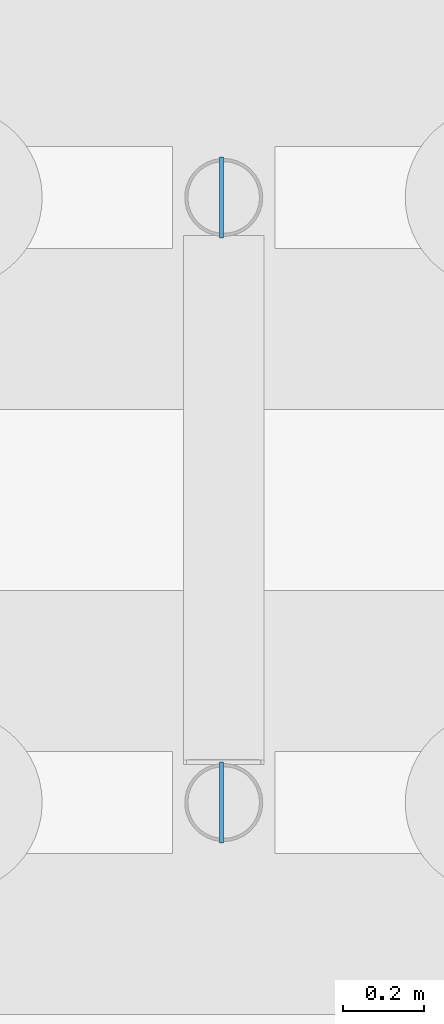
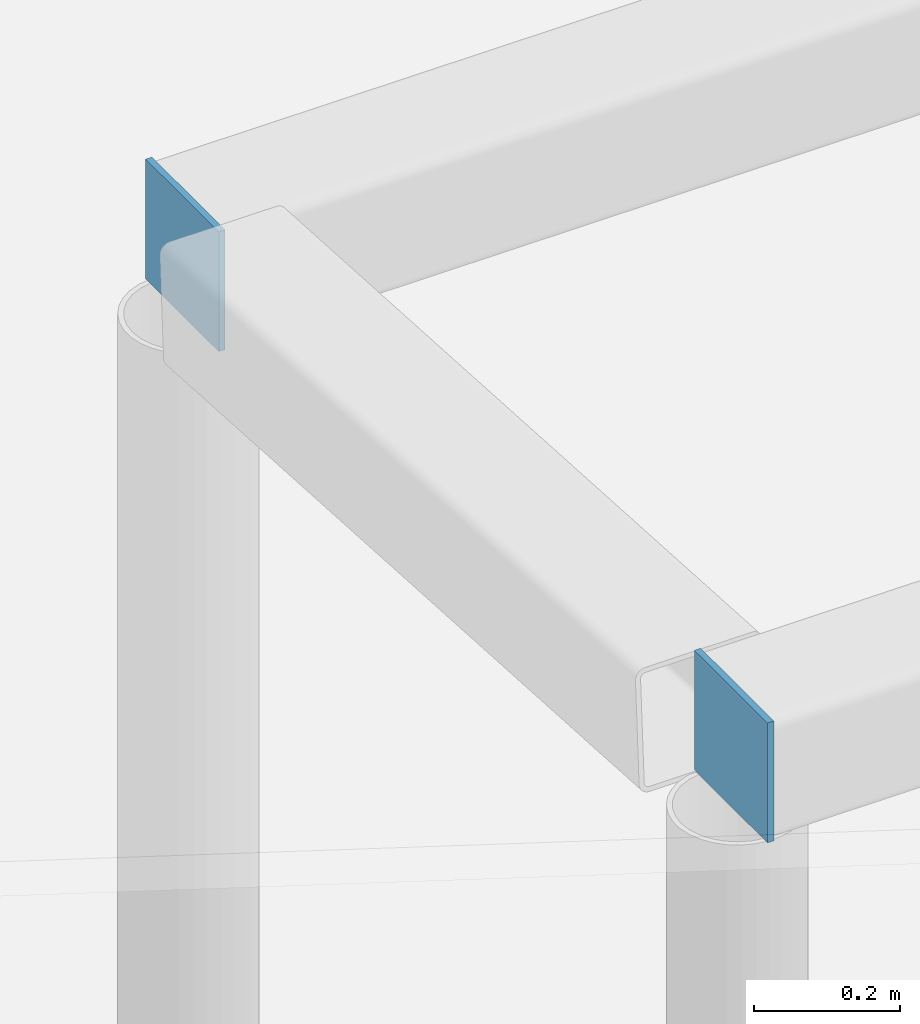
# One storey, part 172 of 250: 2 discrete accessories.
"""IFC4 building model written with IfcOpenShell, lengths in metres."""

from ifc_helpers import new_model, si_unit, direction, frame, origin, origin_2d, place, context, subcontext, project, spatial, rectangle, extrude, material, type_object, element, save


model = new_model("IFC4")

# Units and contexts
model_context = context("Model", 3, precision=1e-05, world=origin(), true_north=direction((0.0, 1.0)))
body_context = subcontext(model_context, "Body", "Model", "MODEL_VIEW")
ifc_project = project(units=[si_unit("LENGTHUNIT", "METRE"), si_unit("AREAUNIT", "SQUARE_METRE"), si_unit("VOLUMEUNIT", "CUBIC_METRE"), si_unit("PLANEANGLEUNIT", "RADIAN"), si_unit("MASSUNIT", "GRAM", prefix="KILO")], contexts=[model_context])

# Site, building, storey
site_placement = place(None, origin())
site = spatial("IfcSite", under=ifc_project, at=site_placement, CompositionType="ELEMENT")
building_placement = place(site_placement, origin())
building = spatial("IfcBuilding", under=site, at=building_placement, Name="Baradari Gate Terminus", CompositionType="ELEMENT")
storey_placement = place(building_placement, origin())
storey = spatial("IfcBuildingStorey", under=building, at=storey_placement, Name="L00", CompositionType="ELEMENT", Elevation=0.0)

# Discrete accessories
ifc_material = material(Name="Steel S355", Category="steel")
discrete_accessory_type = type_object("IfcDiscreteAccessoryType", Name="Hollow section end plate EP-1 200x200x10", PredefinedType="ANCHORPLATE", material=ifc_material)
for number, where, z_axis, x_axis, name in (
    (1, (193.989990234375, 138.0, 4.66015625), (1.0, 0.0, 0.0), (0.0, 1.0, 0.0), "End plate EP-1 at the start of Bus shelter edge beam 1.1"),
    (2, (193.989990234375, 139.5, 4.570068359375), (1.0, 0.0, 0.0), (0.0, 1.0, 0.0), "End plate EP-1 at the start of Bus shelter edge beam 2.1"),
):
    element("IfcDiscreteAccessory", number, at=place(storey_placement, frame(where, z_axis=z_axis, x_axis=x_axis)), inside=storey, type_object=discrete_accessory_type, Name=name, PredefinedType="ANCHORPLATE", context=body_context, shape_type="SweptSolid", body=[
        extrude(rectangle(XDim=0.199951171875, YDim=0.199951171875, at=origin_2d()), origin(), (0.0, 0.0, 1.0), 0.010009765625),
    ])

save(model, "model.ifc")
